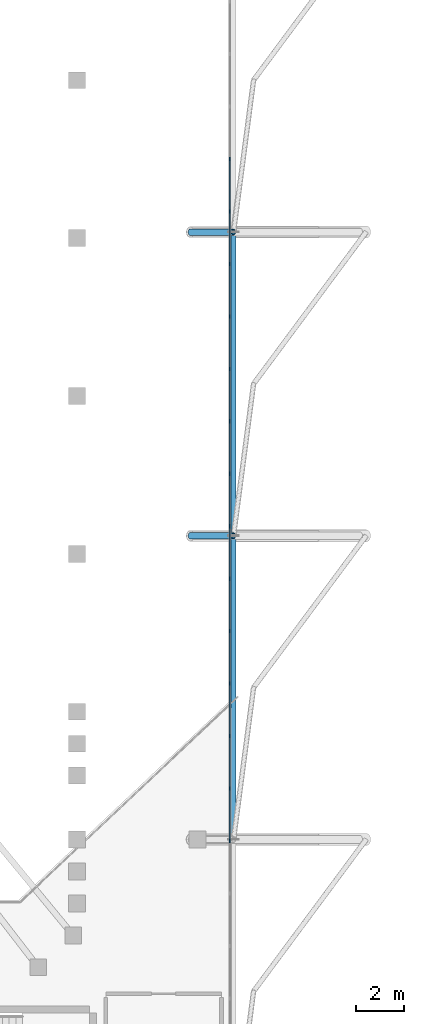
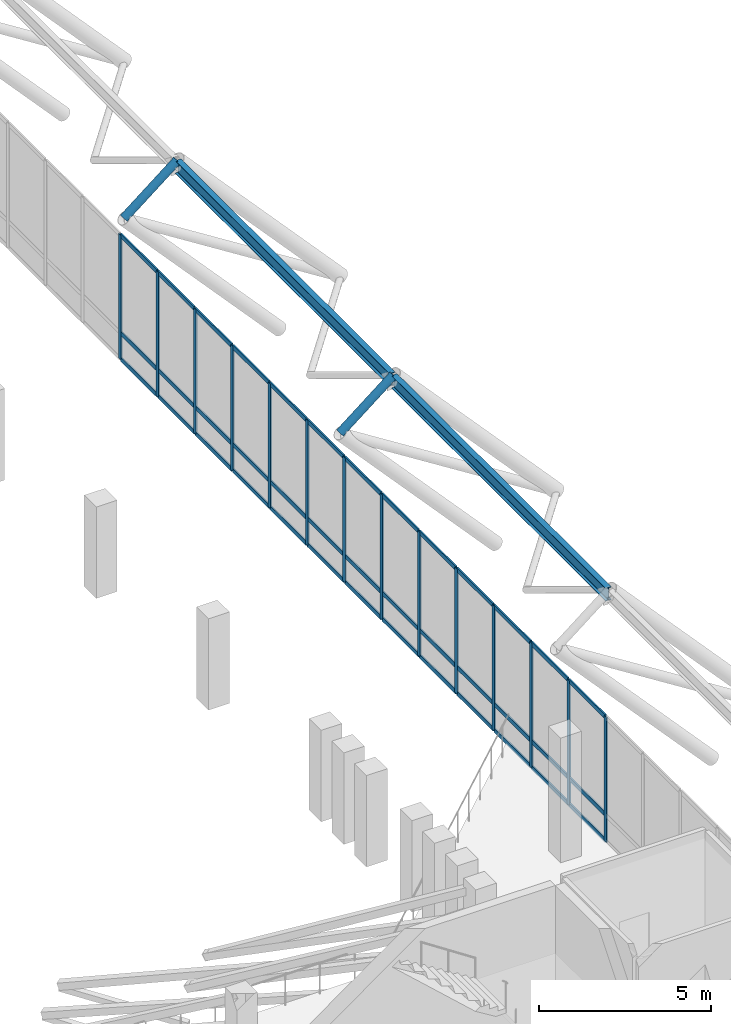
# One storey, part 19 of 79: 57 members, 1 element without a shape of its own.
"""IFC4 building model written with IfcOpenShell, lengths in metres."""

from ifc_helpers import new_model, si_unit, derived_unit, direction, frame, origin, origin_2d, place, context, subcontext, project, spatial, rectangle, hollow_circle, i_section, extrude, material, layer, layer_set, material_profile, profile_set, type_object, element, aggregate, save


model = new_model("IFC4")

# Units and contexts
model_context = context("Model", 3, precision=1e-05, world=origin(), true_north=direction((0.0, 1.0)))
body_context = subcontext(model_context, "Body", "Model", "MODEL_VIEW")
ifc_project = project(units=[si_unit("LENGTHUNIT", "METRE"), si_unit("AREAUNIT", "SQUARE_METRE"), si_unit("VOLUMEUNIT", "CUBIC_METRE"), si_unit("PLANEANGLEUNIT", "RADIAN"), si_unit("MASSUNIT", "GRAM", prefix="KILO"), derived_unit("THERMALTRANSMITTANCEUNIT", [(si_unit("MASSUNIT", "GRAM", prefix="KILO"), 1), (si_unit("TIMEUNIT", "SECOND"), -3), (si_unit("THERMODYNAMICTEMPERATUREUNIT", "KELVIN"), -1)])], contexts=[model_context])

# Site, building, storey
site_placement = place(None, origin())
site = spatial("IfcSite", under=ifc_project, at=site_placement, CompositionType="ELEMENT")
building_placement = place(site_placement, origin())
building = spatial("IfcBuilding", under=site, at=building_placement, Name="Valcora Ridge Arena", CompositionType="ELEMENT")
storey_placement = place(building_placement, frame((0.0, 0.0, 16.199951171875)))
storey = spatial("IfcBuildingStorey", under=building, at=storey_placement, Name="L03", CompositionType="ELEMENT", Elevation=16.199951171875)

# Curtain wall, members
ifc_material_1 = material(Name="Anodised dark bronze architectural aluminium 6063-T6", Category="aluminium")
ifc_layer = layer(ifc_material_1, 0.14990234375, Name="Anodised dark bronze architectural aluminium 6063-T6")
ifc_layer_set = layer_set([ifc_layer], Name="Anodised dark bronze architectural aluminium 6063-T6")
curtain_wall_type = type_object("IfcCurtainWallType", Name="TY-CURTAINWALL-CW-V1-EAST-849X44", PredefinedType="NOTDEFINED", material=ifc_layer_set)
curtain_wall_placement = place(storey_placement, origin())
curtain_wall = element("IfcCurtainWall", 1, at=curtain_wall_placement, inside=storey, type_object=curtain_wall_type, Name="CW-V1-EAST-849X44 CW-0147", PredefinedType="NOTDEFINED")
ifc_material_profile_1 = material_profile(ifc_material_1, rectangle(XDim=0.050048828125, YDim=0.14990234375, at=origin_2d()), Name="ALU MULLION 50x150")
ifc_profile_set_1 = profile_set([ifc_material_profile_1], Name="Anodised dark bronze architectural aluminium 6063-T6")
member_type_1 = type_object("IfcMemberType", Name="TY-MEM-CWM-50x150", PredefinedType="MULLION", material=ifc_profile_set_1)
member_1_placement = place(storey_placement, frame((95.35009765625, 32.537353515625, 0.0), z_axis=(0.0, 0.0, 1.0), x_axis=(-1.0, 0.0, 0.0)))
member_1 = element("IfcMember", 2, at=member_1_placement, type_object=member_type_1, Name="CW-0147/CWM-50x150/M05", PredefinedType="MULLION", context=body_context, shape_type="SweptSolid", body=[
    extrude(rectangle(XDim=0.050048828125, YDim=0.14990234375, at=origin_2d()), origin(), (0.0, 0.0, 1.0), 4.43994140625),
])
member_2_placement = place(storey_placement, frame((95.35009765625, 34.714111328125, 0.0), z_axis=(0.0, 0.0, 1.0), x_axis=(-1.0, 0.0, 0.0)))
member_2 = element("IfcMember", 3, at=member_2_placement, type_object=member_type_1, Name="CW-0147/CWM-50x150/M06", PredefinedType="MULLION", context=body_context, shape_type="SweptSolid", body=[
    extrude(rectangle(XDim=0.050048828125, YDim=0.14990234375, at=origin_2d()), origin(), (0.0, 0.0, 1.0), 4.43994140625),
])
member_3_placement = place(storey_placement, frame((95.35009765625, 36.890869140625, 0.0), z_axis=(0.0, 0.0, 1.0), x_axis=(-1.0, 0.0, 0.0)))
member_3 = element("IfcMember", 4, at=member_3_placement, type_object=member_type_1, Name="CW-0147/CWM-50x150/M07", PredefinedType="MULLION", context=body_context, shape_type="SweptSolid", body=[
    extrude(rectangle(XDim=0.050048828125, YDim=0.14990234375, at=origin_2d()), origin(), (0.0, 0.0, 1.0), 4.43994140625),
])
member_4_placement = place(storey_placement, frame((95.35009765625, 39.067626953125, 0.0), z_axis=(0.0, 0.0, 1.0), x_axis=(-1.0, 0.0, 0.0)))
member_4 = element("IfcMember", 5, at=member_4_placement, type_object=member_type_1, Name="CW-0147/CWM-50x150/M08", PredefinedType="MULLION", context=body_context, shape_type="SweptSolid", body=[
    extrude(rectangle(XDim=0.050048828125, YDim=0.14990234375, at=origin_2d()), origin(), (0.0, 0.0, 1.0), 4.43994140625),
])
member_5_placement = place(storey_placement, frame((95.35009765625, 41.244384765625, 0.0), z_axis=(0.0, 0.0, 1.0), x_axis=(-1.0, 0.0, 0.0)))
member_5 = element("IfcMember", 6, at=member_5_placement, type_object=member_type_1, Name="CW-0147/CWM-50x150/M09", PredefinedType="MULLION", context=body_context, shape_type="SweptSolid", body=[
    extrude(rectangle(XDim=0.050048828125, YDim=0.14990234375, at=origin_2d()), origin(), (0.0, 0.0, 1.0), 4.43994140625),
])
member_6_placement = place(storey_placement, frame((95.35009765625, 43.421142578125, 0.0), z_axis=(0.0, 0.0, 1.0), x_axis=(-1.0, 0.0, 0.0)))
member_6 = element("IfcMember", 7, at=member_6_placement, type_object=member_type_1, Name="CW-0147/CWM-50x150/M10", PredefinedType="MULLION", context=body_context, shape_type="SweptSolid", body=[
    extrude(rectangle(XDim=0.050048828125, YDim=0.14990234375, at=origin_2d()), origin(), (0.0, 0.0, 1.0), 4.43994140625),
])
member_7_placement = place(storey_placement, frame((95.35009765625, 45.597900390625, 0.0), z_axis=(0.0, 0.0, 1.0), x_axis=(-1.0, 0.0, 0.0)))
member_7 = element("IfcMember", 8, at=member_7_placement, type_object=member_type_1, Name="CW-0147/CWM-50x150/M11", PredefinedType="MULLION", context=body_context, shape_type="SweptSolid", body=[
    extrude(rectangle(XDim=0.050048828125, YDim=0.14990234375, at=origin_2d()), origin(), (0.0, 0.0, 1.0), 4.43994140625),
])
member_8_placement = place(storey_placement, frame((95.35009765625, 47.7744140625, 0.0), z_axis=(0.0, 0.0, 1.0), x_axis=(-1.0, 0.0, 0.0)))
member_8 = element("IfcMember", 9, at=member_8_placement, type_object=member_type_1, Name="CW-0147/CWM-50x150/M12", PredefinedType="MULLION", context=body_context, shape_type="SweptSolid", body=[
    extrude(rectangle(XDim=0.050048828125, YDim=0.14990234375, at=origin_2d()), origin(), (0.0, 0.0, 1.0), 4.43994140625),
])
member_9_placement = place(storey_placement, frame((95.35009765625, 49.951416015625, 0.0), z_axis=(0.0, 0.0, 1.0), x_axis=(-1.0, 0.0, 0.0)))
member_9 = element("IfcMember", 10, at=member_9_placement, type_object=member_type_1, Name="CW-0147/CWM-50x150/M13", PredefinedType="MULLION", context=body_context, shape_type="SweptSolid", body=[
    extrude(rectangle(XDim=0.050048828125, YDim=0.14990234375, at=origin_2d()), origin(), (0.0, 0.0, 1.0), 4.43994140625),
])
member_10_placement = place(storey_placement, frame((95.35009765625, 52.1279296875, 0.0), z_axis=(0.0, 0.0, 1.0), x_axis=(-1.0, 0.0, 0.0)))
member_10 = element("IfcMember", 11, at=member_10_placement, type_object=member_type_1, Name="CW-0147/CWM-50x150/M14", PredefinedType="MULLION", context=body_context, shape_type="SweptSolid", body=[
    extrude(rectangle(XDim=0.050048828125, YDim=0.14990234375, at=origin_2d()), origin(), (0.0, 0.0, 1.0), 4.43994140625),
])
member_11_placement = place(storey_placement, frame((95.35009765625, 54.3046875, 0.0), z_axis=(0.0, 0.0, 1.0), x_axis=(-1.0, 0.0, 0.0)))
member_11 = element("IfcMember", 12, at=member_11_placement, type_object=member_type_1, Name="CW-0147/CWM-50x150/M15", PredefinedType="MULLION", context=body_context, shape_type="SweptSolid", body=[
    extrude(rectangle(XDim=0.050048828125, YDim=0.14990234375, at=origin_2d()), origin(), (0.0, 0.0, 1.0), 4.43994140625),
])
member_12_placement = place(storey_placement, frame((95.35009765625, 56.4814453125, 0.0), z_axis=(0.0, 0.0, 1.0), x_axis=(-1.0, 0.0, 0.0)))
member_12 = element("IfcMember", 13, at=member_12_placement, type_object=member_type_1, Name="CW-0147/CWM-50x150/M16", PredefinedType="MULLION", context=body_context, shape_type="SweptSolid", body=[
    extrude(rectangle(XDim=0.050048828125, YDim=0.14990234375, at=origin_2d()), origin(), (0.0, 0.0, 1.0), 4.43994140625),
])
member_13_placement = place(storey_placement, frame((95.35009765625, 58.658203125, 0.0), z_axis=(0.0, 0.0, 1.0), x_axis=(-1.0, 0.0, 0.0)))
member_13 = element("IfcMember", 14, at=member_13_placement, type_object=member_type_1, Name="CW-0147/CWM-50x150/M17", PredefinedType="MULLION", context=body_context, shape_type="SweptSolid", body=[
    extrude(rectangle(XDim=0.050048828125, YDim=0.14990234375, at=origin_2d()), origin(), (0.0, 0.0, 1.0), 4.43994140625),
])
member_14_placement = place(storey_placement, frame((95.35009765625, 60.8349609375, 0.0), z_axis=(0.0, 0.0, 1.0), x_axis=(-1.0, 0.0, 0.0)))
member_14 = element("IfcMember", 15, at=member_14_placement, type_object=member_type_1, Name="CW-0147/CWM-50x150/M18", PredefinedType="MULLION", context=body_context, shape_type="SweptSolid", body=[
    extrude(rectangle(XDim=0.050048828125, YDim=0.14990234375, at=origin_2d()), origin(), (0.0, 0.0, 1.0), 4.43994140625),
])
ifc_material_profile_2 = material_profile(ifc_material_1, rectangle(XDim=0.050048828125, YDim=0.14990234375, at=origin_2d()), Name="ALU TRANSOM 50x150")
ifc_profile_set_2 = profile_set([ifc_material_profile_2], Name="Anodised dark bronze architectural aluminium 6063-T6")
member_type_2 = type_object("IfcMemberType", Name="TY-MEM-CWT-50x150", PredefinedType="USERDEFINED", material=ifc_profile_set_2)
member_15_placement = place(storey_placement, frame((95.35009765625, 32.562744140625, 0.025146484375), z_axis=(0.0, 1.0, 0.0), x_axis=(-1.0, 0.0, 0.0)))
member_15 = element("IfcMember", 16, at=member_15_placement, type_object=member_type_2, Name="CW-0147/CWT-50x150/T05-00", ObjectType="TRANSOM", PredefinedType="USERDEFINED", context=body_context, shape_type="SweptSolid", body=[
    extrude(rectangle(XDim=0.050048828125, YDim=0.14990234375, at=origin_2d()), origin(), (0.0, 0.0, 1.0), 2.1259765625),
])
member_16_placement = place(storey_placement, frame((95.35009765625, 32.562744140625, 0.949951171875), z_axis=(0.0, 1.0, 0.0), x_axis=(-1.0, 0.0, 0.0)))
member_16 = element("IfcMember", 17, at=member_16_placement, type_object=member_type_2, Name="CW-0147/CWT-50x150/T05-01", ObjectType="TRANSOM", PredefinedType="USERDEFINED", context=body_context, shape_type="SweptSolid", body=[
    extrude(rectangle(XDim=0.050048828125, YDim=0.14990234375, at=origin_2d()), origin(), (0.0, 0.0, 1.0), 2.1259765625),
])
member_17_placement = place(storey_placement, frame((95.35009765625, 32.562744140625, 4.4150390625), z_axis=(0.0, 1.0, 0.0), x_axis=(-1.0, 0.0, 0.0)))
member_17 = element("IfcMember", 18, at=member_17_placement, type_object=member_type_2, Name="CW-0147/CWT-50x150/T05-02", ObjectType="TRANSOM", PredefinedType="USERDEFINED", context=body_context, shape_type="SweptSolid", body=[
    extrude(rectangle(XDim=0.050048828125, YDim=0.14990234375, at=origin_2d()), origin(), (0.0, 0.0, 1.0), 2.1259765625),
])
member_18_placement = place(storey_placement, frame((95.35009765625, 34.73876953125, 0.025146484375), z_axis=(0.0, 1.0, 0.0), x_axis=(-1.0, 0.0, 0.0)))
member_18 = element("IfcMember", 19, at=member_18_placement, type_object=member_type_2, Name="CW-0147/CWT-50x150/T06-00", ObjectType="TRANSOM", PredefinedType="USERDEFINED", context=body_context, shape_type="SweptSolid", body=[
    extrude(rectangle(XDim=0.050048828125, YDim=0.14990234375, at=origin_2d()), origin(), (0.0, 0.0, 1.0), 2.126953125),
])
member_19_placement = place(storey_placement, frame((95.35009765625, 34.73876953125, 0.949951171875), z_axis=(0.0, 1.0, 0.0), x_axis=(-1.0, 0.0, 0.0)))
member_19 = element("IfcMember", 20, at=member_19_placement, type_object=member_type_2, Name="CW-0147/CWT-50x150/T06-01", ObjectType="TRANSOM", PredefinedType="USERDEFINED", context=body_context, shape_type="SweptSolid", body=[
    extrude(rectangle(XDim=0.050048828125, YDim=0.14990234375, at=origin_2d()), origin(), (0.0, 0.0, 1.0), 2.126953125),
])
member_20_placement = place(storey_placement, frame((95.35009765625, 34.73876953125, 4.4150390625), z_axis=(0.0, 1.0, 0.0), x_axis=(-1.0, 0.0, 0.0)))
member_20 = element("IfcMember", 21, at=member_20_placement, type_object=member_type_2, Name="CW-0147/CWT-50x150/T06-02", ObjectType="TRANSOM", PredefinedType="USERDEFINED", context=body_context, shape_type="SweptSolid", body=[
    extrude(rectangle(XDim=0.050048828125, YDim=0.14990234375, at=origin_2d()), origin(), (0.0, 0.0, 1.0), 2.126953125),
])
member_21_placement = place(storey_placement, frame((95.35009765625, 36.915771484375, 0.025146484375), z_axis=(0.0, 1.0, 0.0), x_axis=(-1.0, 0.0, 0.0)))
member_21 = element("IfcMember", 22, at=member_21_placement, type_object=member_type_2, Name="CW-0147/CWT-50x150/T07-00", ObjectType="TRANSOM", PredefinedType="USERDEFINED", context=body_context, shape_type="SweptSolid", body=[
    extrude(rectangle(XDim=0.050048828125, YDim=0.14990234375, at=origin_2d()), origin(), (0.0, 0.0, 1.0), 2.126953125),
])
member_22_placement = place(storey_placement, frame((95.35009765625, 36.915771484375, 0.949951171875), z_axis=(0.0, 1.0, 0.0), x_axis=(-1.0, 0.0, 0.0)))
member_22 = element("IfcMember", 23, at=member_22_placement, type_object=member_type_2, Name="CW-0147/CWT-50x150/T07-01", ObjectType="TRANSOM", PredefinedType="USERDEFINED", context=body_context, shape_type="SweptSolid", body=[
    extrude(rectangle(XDim=0.050048828125, YDim=0.14990234375, at=origin_2d()), origin(), (0.0, 0.0, 1.0), 2.126953125),
])
member_23_placement = place(storey_placement, frame((95.35009765625, 36.915771484375, 4.4150390625), z_axis=(0.0, 1.0, 0.0), x_axis=(-1.0, 0.0, 0.0)))
member_23 = element("IfcMember", 24, at=member_23_placement, type_object=member_type_2, Name="CW-0147/CWT-50x150/T07-02", ObjectType="TRANSOM", PredefinedType="USERDEFINED", context=body_context, shape_type="SweptSolid", body=[
    extrude(rectangle(XDim=0.050048828125, YDim=0.14990234375, at=origin_2d()), origin(), (0.0, 0.0, 1.0), 2.126953125),
])
member_24_placement = place(storey_placement, frame((95.35009765625, 39.0927734375, 0.025146484375), z_axis=(0.0, 1.0, 0.0), x_axis=(-1.0, 0.0, 0.0)))
member_24 = element("IfcMember", 25, at=member_24_placement, type_object=member_type_2, Name="CW-0147/CWT-50x150/T08-00", ObjectType="TRANSOM", PredefinedType="USERDEFINED", context=body_context, shape_type="SweptSolid", body=[
    extrude(rectangle(XDim=0.050048828125, YDim=0.14990234375, at=origin_2d()), origin(), (0.0, 0.0, 1.0), 2.126953125),
])
member_25_placement = place(storey_placement, frame((95.35009765625, 39.0927734375, 0.949951171875), z_axis=(0.0, 1.0, 0.0), x_axis=(-1.0, 0.0, 0.0)))
member_25 = element("IfcMember", 26, at=member_25_placement, type_object=member_type_2, Name="CW-0147/CWT-50x150/T08-01", ObjectType="TRANSOM", PredefinedType="USERDEFINED", context=body_context, shape_type="SweptSolid", body=[
    extrude(rectangle(XDim=0.050048828125, YDim=0.14990234375, at=origin_2d()), origin(), (0.0, 0.0, 1.0), 2.126953125),
])
member_26_placement = place(storey_placement, frame((95.35009765625, 39.0927734375, 4.4150390625), z_axis=(0.0, 1.0, 0.0), x_axis=(-1.0, 0.0, 0.0)))
member_26 = element("IfcMember", 27, at=member_26_placement, type_object=member_type_2, Name="CW-0147/CWT-50x150/T08-02", ObjectType="TRANSOM", PredefinedType="USERDEFINED", context=body_context, shape_type="SweptSolid", body=[
    extrude(rectangle(XDim=0.050048828125, YDim=0.14990234375, at=origin_2d()), origin(), (0.0, 0.0, 1.0), 2.126953125),
])
member_27_placement = place(storey_placement, frame((95.35009765625, 41.269775390625, 0.025146484375), z_axis=(0.0, 1.0, 0.0), x_axis=(-1.0, 0.0, 0.0)))
member_27 = element("IfcMember", 28, at=member_27_placement, type_object=member_type_2, Name="CW-0147/CWT-50x150/T09-00", ObjectType="TRANSOM", PredefinedType="USERDEFINED", context=body_context, shape_type="SweptSolid", body=[
    extrude(rectangle(XDim=0.050048828125, YDim=0.14990234375, at=origin_2d()), origin(), (0.0, 0.0, 1.0), 2.1259765625),
])
member_28_placement = place(storey_placement, frame((95.35009765625, 41.269775390625, 0.949951171875), z_axis=(0.0, 1.0, 0.0), x_axis=(-1.0, 0.0, 0.0)))
member_28 = element("IfcMember", 29, at=member_28_placement, type_object=member_type_2, Name="CW-0147/CWT-50x150/T09-01", ObjectType="TRANSOM", PredefinedType="USERDEFINED", context=body_context, shape_type="SweptSolid", body=[
    extrude(rectangle(XDim=0.050048828125, YDim=0.14990234375, at=origin_2d()), origin(), (0.0, 0.0, 1.0), 2.1259765625),
])
member_29_placement = place(storey_placement, frame((95.35009765625, 41.269775390625, 4.4150390625), z_axis=(0.0, 1.0, 0.0), x_axis=(-1.0, 0.0, 0.0)))
member_29 = element("IfcMember", 30, at=member_29_placement, type_object=member_type_2, Name="CW-0147/CWT-50x150/T09-02", ObjectType="TRANSOM", PredefinedType="USERDEFINED", context=body_context, shape_type="SweptSolid", body=[
    extrude(rectangle(XDim=0.050048828125, YDim=0.14990234375, at=origin_2d()), origin(), (0.0, 0.0, 1.0), 2.1259765625),
])
member_30_placement = place(storey_placement, frame((95.35009765625, 43.44580078125, 0.025146484375), z_axis=(0.0, 1.0, 0.0), x_axis=(-1.0, 0.0, 0.0)))
member_30 = element("IfcMember", 31, at=member_30_placement, type_object=member_type_2, Name="CW-0147/CWT-50x150/T10-00", ObjectType="TRANSOM", PredefinedType="USERDEFINED", context=body_context, shape_type="SweptSolid", body=[
    extrude(rectangle(XDim=0.050048828125, YDim=0.14990234375, at=origin_2d()), origin(), (0.0, 0.0, 1.0), 2.126953125),
])
member_31_placement = place(storey_placement, frame((95.35009765625, 43.44580078125, 0.949951171875), z_axis=(0.0, 1.0, 0.0), x_axis=(-1.0, 0.0, 0.0)))
member_31 = element("IfcMember", 32, at=member_31_placement, type_object=member_type_2, Name="CW-0147/CWT-50x150/T10-01", ObjectType="TRANSOM", PredefinedType="USERDEFINED", context=body_context, shape_type="SweptSolid", body=[
    extrude(rectangle(XDim=0.050048828125, YDim=0.14990234375, at=origin_2d()), origin(), (0.0, 0.0, 1.0), 2.126953125),
])
member_32_placement = place(storey_placement, frame((95.35009765625, 43.44580078125, 4.4150390625), z_axis=(0.0, 1.0, 0.0), x_axis=(-1.0, 0.0, 0.0)))
member_32 = element("IfcMember", 33, at=member_32_placement, type_object=member_type_2, Name="CW-0147/CWT-50x150/T10-02", ObjectType="TRANSOM", PredefinedType="USERDEFINED", context=body_context, shape_type="SweptSolid", body=[
    extrude(rectangle(XDim=0.050048828125, YDim=0.14990234375, at=origin_2d()), origin(), (0.0, 0.0, 1.0), 2.126953125),
])
member_33_placement = place(storey_placement, frame((95.35009765625, 45.622802734375, 0.025146484375), z_axis=(0.0, 1.0, 0.0), x_axis=(-1.0, 0.0, 0.0)))
member_33 = element("IfcMember", 34, at=member_33_placement, type_object=member_type_2, Name="CW-0147/CWT-50x150/T11-00", ObjectType="TRANSOM", PredefinedType="USERDEFINED", context=body_context, shape_type="SweptSolid", body=[
    extrude(rectangle(XDim=0.050048828125, YDim=0.14990234375, at=origin_2d()), origin(), (0.0, 0.0, 1.0), 2.126953125),
])
member_34_placement = place(storey_placement, frame((95.35009765625, 45.622802734375, 0.949951171875), z_axis=(0.0, 1.0, 0.0), x_axis=(-1.0, 0.0, 0.0)))
member_34 = element("IfcMember", 35, at=member_34_placement, type_object=member_type_2, Name="CW-0147/CWT-50x150/T11-01", ObjectType="TRANSOM", PredefinedType="USERDEFINED", context=body_context, shape_type="SweptSolid", body=[
    extrude(rectangle(XDim=0.050048828125, YDim=0.14990234375, at=origin_2d()), origin(), (0.0, 0.0, 1.0), 2.126953125),
])
member_35_placement = place(storey_placement, frame((95.35009765625, 45.622802734375, 4.4150390625), z_axis=(0.0, 1.0, 0.0), x_axis=(-1.0, 0.0, 0.0)))
member_35 = element("IfcMember", 36, at=member_35_placement, type_object=member_type_2, Name="CW-0147/CWT-50x150/T11-02", ObjectType="TRANSOM", PredefinedType="USERDEFINED", context=body_context, shape_type="SweptSolid", body=[
    extrude(rectangle(XDim=0.050048828125, YDim=0.14990234375, at=origin_2d()), origin(), (0.0, 0.0, 1.0), 2.126953125),
])
member_36_placement = place(storey_placement, frame((95.35009765625, 47.7998046875, 0.025146484375), z_axis=(0.0, 1.0, 0.0), x_axis=(-1.0, 0.0, 0.0)))
member_36 = element("IfcMember", 37, at=member_36_placement, type_object=member_type_2, Name="CW-0147/CWT-50x150/T12-00", ObjectType="TRANSOM", PredefinedType="USERDEFINED", context=body_context, shape_type="SweptSolid", body=[
    extrude(rectangle(XDim=0.050048828125, YDim=0.14990234375, at=origin_2d()), origin(), (0.0, 0.0, 1.0), 2.1259765625),
])
member_37_placement = place(storey_placement, frame((95.35009765625, 47.7998046875, 0.949951171875), z_axis=(0.0, 1.0, 0.0), x_axis=(-1.0, 0.0, 0.0)))
member_37 = element("IfcMember", 38, at=member_37_placement, type_object=member_type_2, Name="CW-0147/CWT-50x150/T12-01", ObjectType="TRANSOM", PredefinedType="USERDEFINED", context=body_context, shape_type="SweptSolid", body=[
    extrude(rectangle(XDim=0.050048828125, YDim=0.14990234375, at=origin_2d()), origin(), (0.0, 0.0, 1.0), 2.1259765625),
])
member_38_placement = place(storey_placement, frame((95.35009765625, 47.7998046875, 4.4150390625), z_axis=(0.0, 1.0, 0.0), x_axis=(-1.0, 0.0, 0.0)))
member_38 = element("IfcMember", 39, at=member_38_placement, type_object=member_type_2, Name="CW-0147/CWT-50x150/T12-02", ObjectType="TRANSOM", PredefinedType="USERDEFINED", context=body_context, shape_type="SweptSolid", body=[
    extrude(rectangle(XDim=0.050048828125, YDim=0.14990234375, at=origin_2d()), origin(), (0.0, 0.0, 1.0), 2.1259765625),
])
member_39_placement = place(storey_placement, frame((95.35009765625, 49.975830078125, 0.025146484375), z_axis=(0.0, 1.0, 0.0), x_axis=(-1.0, 0.0, 0.0)))
member_39 = element("IfcMember", 40, at=member_39_placement, type_object=member_type_2, Name="CW-0147/CWT-50x150/T13-00", ObjectType="TRANSOM", PredefinedType="USERDEFINED", context=body_context, shape_type="SweptSolid", body=[
    extrude(rectangle(XDim=0.050048828125, YDim=0.14990234375, at=origin_2d()), origin(), (0.0, 0.0, 1.0), 2.126953125),
])
member_40_placement = place(storey_placement, frame((95.35009765625, 49.975830078125, 0.949951171875), z_axis=(0.0, 1.0, 0.0), x_axis=(-1.0, 0.0, 0.0)))
member_40 = element("IfcMember", 41, at=member_40_placement, type_object=member_type_2, Name="CW-0147/CWT-50x150/T13-01", ObjectType="TRANSOM", PredefinedType="USERDEFINED", context=body_context, shape_type="SweptSolid", body=[
    extrude(rectangle(XDim=0.050048828125, YDim=0.14990234375, at=origin_2d()), origin(), (0.0, 0.0, 1.0), 2.126953125),
])
member_41_placement = place(storey_placement, frame((95.35009765625, 49.975830078125, 4.4150390625), z_axis=(0.0, 1.0, 0.0), x_axis=(-1.0, 0.0, 0.0)))
member_41 = element("IfcMember", 42, at=member_41_placement, type_object=member_type_2, Name="CW-0147/CWT-50x150/T13-02", ObjectType="TRANSOM", PredefinedType="USERDEFINED", context=body_context, shape_type="SweptSolid", body=[
    extrude(rectangle(XDim=0.050048828125, YDim=0.14990234375, at=origin_2d()), origin(), (0.0, 0.0, 1.0), 2.126953125),
])
member_42_placement = place(storey_placement, frame((95.35009765625, 52.15283203125, 0.025146484375), z_axis=(0.0, 1.0, 0.0), x_axis=(-1.0, 0.0, 0.0)))
member_42 = element("IfcMember", 43, at=member_42_placement, type_object=member_type_2, Name="CW-0147/CWT-50x150/T14-00", ObjectType="TRANSOM", PredefinedType="USERDEFINED", context=body_context, shape_type="SweptSolid", body=[
    extrude(rectangle(XDim=0.050048828125, YDim=0.14990234375, at=origin_2d()), origin(), (0.0, 0.0, 1.0), 2.126953125),
])
member_43_placement = place(storey_placement, frame((95.35009765625, 52.15283203125, 0.949951171875), z_axis=(0.0, 1.0, 0.0), x_axis=(-1.0, 0.0, 0.0)))
member_43 = element("IfcMember", 44, at=member_43_placement, type_object=member_type_2, Name="CW-0147/CWT-50x150/T14-01", ObjectType="TRANSOM", PredefinedType="USERDEFINED", context=body_context, shape_type="SweptSolid", body=[
    extrude(rectangle(XDim=0.050048828125, YDim=0.14990234375, at=origin_2d()), origin(), (0.0, 0.0, 1.0), 2.126953125),
])
member_44_placement = place(storey_placement, frame((95.35009765625, 52.15283203125, 4.4150390625), z_axis=(0.0, 1.0, 0.0), x_axis=(-1.0, 0.0, 0.0)))
member_44 = element("IfcMember", 45, at=member_44_placement, type_object=member_type_2, Name="CW-0147/CWT-50x150/T14-02", ObjectType="TRANSOM", PredefinedType="USERDEFINED", context=body_context, shape_type="SweptSolid", body=[
    extrude(rectangle(XDim=0.050048828125, YDim=0.14990234375, at=origin_2d()), origin(), (0.0, 0.0, 1.0), 2.126953125),
])
member_45_placement = place(storey_placement, frame((95.35009765625, 54.329833984375, 0.025146484375), z_axis=(0.0, 1.0, 0.0), x_axis=(-1.0, 0.0, 0.0)))
member_45 = element("IfcMember", 46, at=member_45_placement, type_object=member_type_2, Name="CW-0147/CWT-50x150/T15-00", ObjectType="TRANSOM", PredefinedType="USERDEFINED", context=body_context, shape_type="SweptSolid", body=[
    extrude(rectangle(XDim=0.050048828125, YDim=0.14990234375, at=origin_2d()), origin(), (0.0, 0.0, 1.0), 2.126953125),
])
member_46_placement = place(storey_placement, frame((95.35009765625, 54.329833984375, 0.949951171875), z_axis=(0.0, 1.0, 0.0), x_axis=(-1.0, 0.0, 0.0)))
member_46 = element("IfcMember", 47, at=member_46_placement, type_object=member_type_2, Name="CW-0147/CWT-50x150/T15-01", ObjectType="TRANSOM", PredefinedType="USERDEFINED", context=body_context, shape_type="SweptSolid", body=[
    extrude(rectangle(XDim=0.050048828125, YDim=0.14990234375, at=origin_2d()), origin(), (0.0, 0.0, 1.0), 2.126953125),
])
member_47_placement = place(storey_placement, frame((95.35009765625, 54.329833984375, 4.4150390625), z_axis=(0.0, 1.0, 0.0), x_axis=(-1.0, 0.0, 0.0)))
member_47 = element("IfcMember", 48, at=member_47_placement, type_object=member_type_2, Name="CW-0147/CWT-50x150/T15-02", ObjectType="TRANSOM", PredefinedType="USERDEFINED", context=body_context, shape_type="SweptSolid", body=[
    extrude(rectangle(XDim=0.050048828125, YDim=0.14990234375, at=origin_2d()), origin(), (0.0, 0.0, 1.0), 2.126953125),
])
member_48_placement = place(storey_placement, frame((95.35009765625, 56.5068359375, 0.025146484375), z_axis=(0.0, 1.0, 0.0), x_axis=(-1.0, 0.0, 0.0)))
member_48 = element("IfcMember", 49, at=member_48_placement, type_object=member_type_2, Name="CW-0147/CWT-50x150/T16-00", ObjectType="TRANSOM", PredefinedType="USERDEFINED", context=body_context, shape_type="SweptSolid", body=[
    extrude(rectangle(XDim=0.050048828125, YDim=0.14990234375, at=origin_2d()), origin(), (0.0, 0.0, 1.0), 2.1259765625),
])
member_49_placement = place(storey_placement, frame((95.35009765625, 56.5068359375, 0.949951171875), z_axis=(0.0, 1.0, 0.0), x_axis=(-1.0, 0.0, 0.0)))
member_49 = element("IfcMember", 50, at=member_49_placement, type_object=member_type_2, Name="CW-0147/CWT-50x150/T16-01", ObjectType="TRANSOM", PredefinedType="USERDEFINED", context=body_context, shape_type="SweptSolid", body=[
    extrude(rectangle(XDim=0.050048828125, YDim=0.14990234375, at=origin_2d()), origin(), (0.0, 0.0, 1.0), 2.1259765625),
])
member_50_placement = place(storey_placement, frame((95.35009765625, 56.5068359375, 4.4150390625), z_axis=(0.0, 1.0, 0.0), x_axis=(-1.0, 0.0, 0.0)))
member_50 = element("IfcMember", 51, at=member_50_placement, type_object=member_type_2, Name="CW-0147/CWT-50x150/T16-02", ObjectType="TRANSOM", PredefinedType="USERDEFINED", context=body_context, shape_type="SweptSolid", body=[
    extrude(rectangle(XDim=0.050048828125, YDim=0.14990234375, at=origin_2d()), origin(), (0.0, 0.0, 1.0), 2.1259765625),
])
member_51_placement = place(storey_placement, frame((95.35009765625, 58.682861328125, 0.025146484375), z_axis=(0.0, 1.0, 0.0), x_axis=(-1.0, 0.0, 0.0)))
member_51 = element("IfcMember", 52, at=member_51_placement, type_object=member_type_2, Name="CW-0147/CWT-50x150/T17-00", ObjectType="TRANSOM", PredefinedType="USERDEFINED", context=body_context, shape_type="SweptSolid", body=[
    extrude(rectangle(XDim=0.050048828125, YDim=0.14990234375, at=origin_2d()), origin(), (0.0, 0.0, 1.0), 2.126953125),
])
member_52_placement = place(storey_placement, frame((95.35009765625, 58.682861328125, 0.949951171875), z_axis=(0.0, 1.0, 0.0), x_axis=(-1.0, 0.0, 0.0)))
member_52 = element("IfcMember", 53, at=member_52_placement, type_object=member_type_2, Name="CW-0147/CWT-50x150/T17-01", ObjectType="TRANSOM", PredefinedType="USERDEFINED", context=body_context, shape_type="SweptSolid", body=[
    extrude(rectangle(XDim=0.050048828125, YDim=0.14990234375, at=origin_2d()), origin(), (0.0, 0.0, 1.0), 2.126953125),
])
member_53_placement = place(storey_placement, frame((95.35009765625, 58.682861328125, 4.4150390625), z_axis=(0.0, 1.0, 0.0), x_axis=(-1.0, 0.0, 0.0)))
member_53 = element("IfcMember", 54, at=member_53_placement, type_object=member_type_2, Name="CW-0147/CWT-50x150/T17-02", ObjectType="TRANSOM", PredefinedType="USERDEFINED", context=body_context, shape_type="SweptSolid", body=[
    extrude(rectangle(XDim=0.050048828125, YDim=0.14990234375, at=origin_2d()), origin(), (0.0, 0.0, 1.0), 2.126953125),
])
aggregate(curtain_wall, [member_1, member_2, member_3, member_4, member_5, member_6, member_7, member_8, member_9, member_10, member_11, member_12, member_13, member_14, member_15, member_16, member_17, member_18, member_19, member_20, member_21, member_22, member_23, member_24, member_25, member_26, member_27, member_28, member_29, member_30, member_31, member_32, member_33, member_34, member_35, member_36, member_37, member_38, member_39, member_40, member_41, member_42, member_43, member_44, member_45, member_46, member_47, member_48, member_49, member_50, member_51, member_52, member_53])

# Members
ifc_material_2 = material(Name="Steel ASTM A572 Grade 50", Category="steel")
ifc_material_profile_3 = material_profile(ifc_material_2, i_section(OverallWidth=0.18994140625, OverallDepth=0.45703125, WebThickness=0.009033203125, FlangeThickness=0.014404296875, FilletRadius=0.014892578125, at=origin_2d()), Name="W18X50")
ifc_profile_set_3 = profile_set([ifc_material_profile_3], Name="Steel ASTM A572 Grade 50")
member_type_3 = type_object("IfcMemberType", Name="TY-MEMBER-PUR-W18X50", PredefinedType="PURLIN", material=ifc_profile_set_3)
for number, where, z_axis, x_axis, name in (
    (55, (95.5, 32.64990234375, 8.67724609375), (0.0, 1.0, 0.0), (-1.0, 0.0, 0.0), "PUR-W18X50 SF-PR-PUR-W18X50-0024"),
    (56, (95.5, 45.25, 8.67724609375), (0.0, 1.0, 0.0), (-1.0, 0.0, 0.0), "PUR-W18X50 SF-PR-PUR-W18X50-0036"),
):
    element("IfcMember", number, at=place(storey_placement, frame(where, z_axis=z_axis, x_axis=x_axis)), inside=storey, type_object=member_type_3, Name=name, PredefinedType="PURLIN", context=body_context, shape_type="SweptSolid", body=[
        extrude(i_section(OverallWidth=0.18994140625, OverallDepth=0.45703125, WebThickness=0.009033203125, FlangeThickness=0.014404296875, FilletRadius=0.014892578125, at=origin_2d()), origin(), (0.0, 0.0, 1.0), 12.5),
    ])
ifc_material_3 = material(Name="Steel ASTM A500 Grade C", Category="steel")
ifc_material_profile_4 = material_profile(ifc_material_3, hollow_circle(Radius=0.136474609375, WallThickness=0.012451171875, at=origin_2d()), Name="CHS273X12")
ifc_profile_set_4 = profile_set([ifc_material_profile_4], Name="Steel ASTM A500 Grade C")
member_type_4 = type_object("IfcMemberType", Name="TY-MEMBER-SFKP-273", PredefinedType="POST", material=ifc_profile_set_4)
for number, where, z_axis, x_axis, name in (
    (57, (93.705322265625, 45.199951171875, 7.423095703125), (0.78184324525, 0.0, 0.623475051511), (0.0, 1.0, 0.0), "SFKP-273 Space Frame King Post"),
    (58, (93.705322265625, 57.800048828125, 7.423095703125), (0.78184324525, 0.0, 0.623475051511), (0.0, 1.0, 0.0), "SFKP-273 Space Frame King Post"),
):
    element("IfcMember", number, at=place(storey_placement, frame(where, z_axis=z_axis, x_axis=x_axis)), inside=storey, type_object=member_type_4, Name=name, PredefinedType="POST", context=body_context, shape_type="SweptSolid", body=[
        extrude(hollow_circle(Radius=0.136474609375, WallThickness=0.012451171875, at=origin_2d()), origin(), (0.0, 0.0, 1.0), 2.29541015625),
    ])

save(model, "model.ifc")
